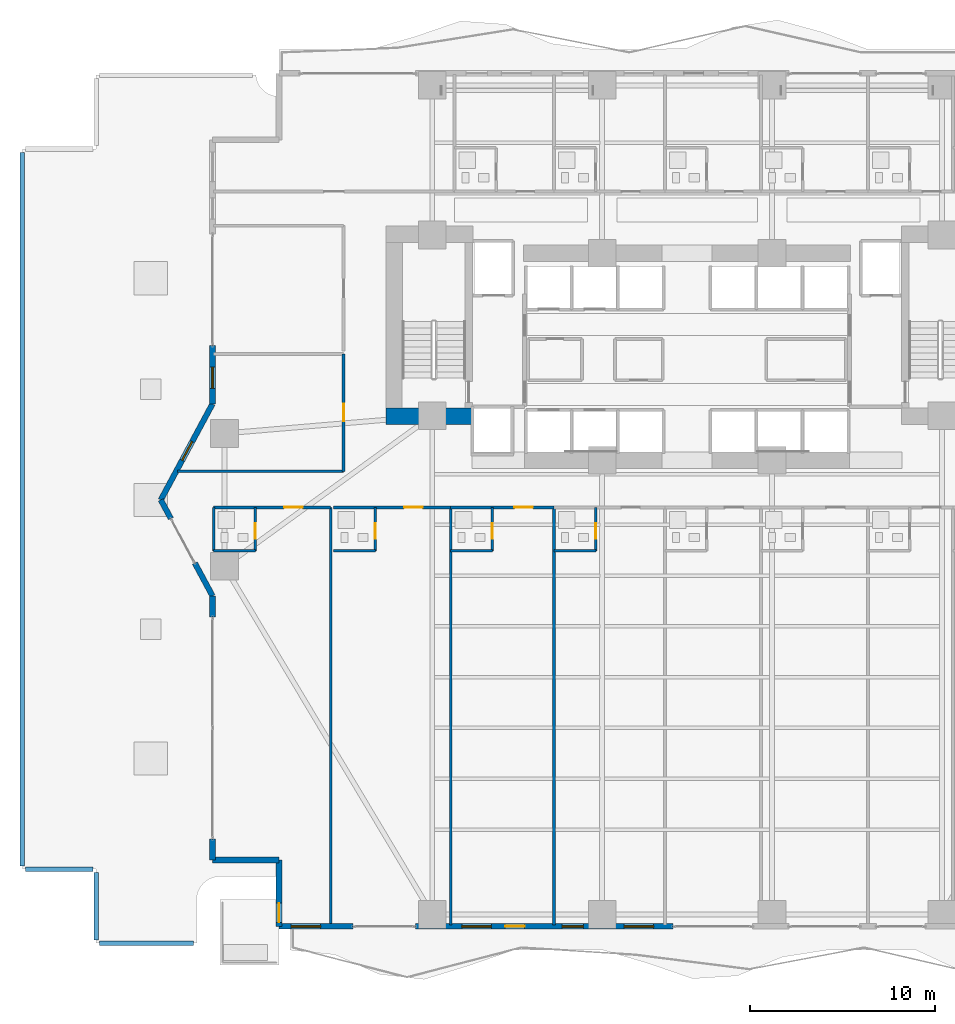
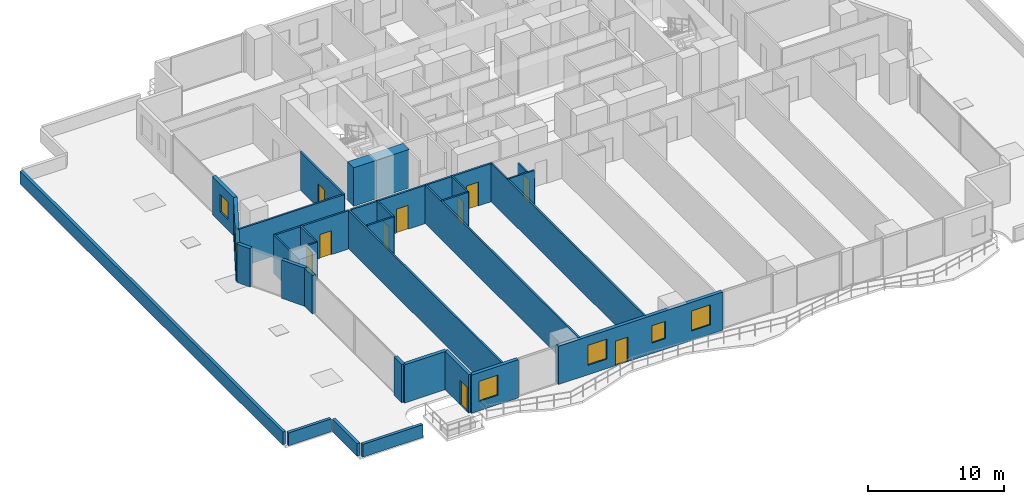
# One storey, part 20 of 30: 32 walls, 10 doors, 6 windows, 16 openings.
"""IFC4 building model written with IfcOpenShell, lengths in metres."""

from ifc_helpers import new_model, si_unit, direction, frame, frame_2d, origin, place, context, subcontext, project, spatial, rectangle, extrude, material, layer, layer_set, type_object, element, fill, save


model = new_model("IFC4")

# Units and contexts
model_context = context("Model", 3, precision=1e-05, world=origin(), true_north=direction((0.0, 1.0)))
body_context = subcontext(model_context, "Body", "Model", "MODEL_VIEW")
ifc_project = project(units=[si_unit("LENGTHUNIT", "METRE"), si_unit("AREAUNIT", "SQUARE_METRE"), si_unit("VOLUMEUNIT", "CUBIC_METRE"), si_unit("PLANEANGLEUNIT", "RADIAN"), si_unit("MASSUNIT", "GRAM", prefix="KILO")], contexts=[model_context])

# Site, building, storey
site_placement = place(None, origin())
site = spatial("IfcSite", under=ifc_project, at=site_placement, CompositionType="ELEMENT")
building_placement = place(site_placement, origin())
building = spatial("IfcBuilding", under=site, at=building_placement, Name="Zuhayl Quay Hotel", CompositionType="ELEMENT")
storey_placement = place(building_placement, frame((0.0, 0.0, 27.60009765625)))
storey = spatial("IfcBuildingStorey", under=building, at=storey_placement, Name="L05", CompositionType="ELEMENT", Elevation=27.60009765625)

# Walls
ifc_material_1 = material(Name="Concrete C70/85", Category="concrete")
ifc_layer_1 = layer(ifc_material_1, 0.89990234375, Name="Concrete C70/85", Category="concrete")
ifc_layer_set_1 = layer_set([ifc_layer_1], Name="Concrete C70/85")
wall_type_1 = type_object("IfcWallType", Name="WL_CORE_900", PredefinedType="SHEAR", material=ifc_layer_set_1)
wall_1_placement = place(storey_placement, frame((-16.31005859375, 4.52001953125, 0.0), z_axis=(0.0, 0.0, 1.0), x_axis=(1.0, 0.0, 0.0)))
element("IfcWall", 1, at=wall_1_placement, inside=storey, type_object=wall_type_1, Name="L05 Core Shear Wall CW_SW", PredefinedType="SHEAR", context=body_context, shape_type="SweptSolid", body=[
    extrude(rectangle(XDim=4.7099609375, YDim=0.89990234375, at=frame_2d((2.35498046875, 0.0))), origin(), (0.0, 0.0, 1.0), 3.4599609375),
])
ifc_material_2 = material(Name="Precast concrete C45/55", Category="concrete")
ifc_layer_2 = layer(ifc_material_2, 0.300048828125, Name="Precast concrete C45/55", Category="concrete")
ifc_layer_set_2 = layer_set([ifc_layer_2], Name="Precast concrete C45/55")
wall_type_2 = type_object("IfcWallType", Name="WL_EXT_300", PredefinedType="STANDARD", material=ifc_layer_set_2)
wall_2_placement = place(storey_placement, frame((-22.10009765625, -19.5, 0.0), z_axis=(0.0, 0.0, 1.0), x_axis=(-1.0, 0.0, 0.0)))
element("IfcWall", 2, at=wall_2_placement, inside=storey, type_object=wall_type_2, Name="L05 Exterior Precast Wall ENV_L05_EW01", PredefinedType="STANDARD", context=body_context, shape_type="SweptSolid", body=[
    extrude(rectangle(XDim=3.599853515625, YDim=0.300048828125, at=frame_2d((1.7998046875, 0.0))), origin(), (0.0, 0.0, 1.0), 3.429931640625),
])
wall_3_placement = place(storey_placement, frame((-25.699951171875, -19.5, 0.0), z_axis=(0.0, 0.0, 1.0), x_axis=(0.0, 1.0, 0.0)))
element("IfcWall", 3, at=wall_3_placement, inside=storey, type_object=wall_type_2, Name="L05 Exterior Precast Wall ENV_L05_E02_EW1", PredefinedType="STANDARD", context=body_context, shape_type="SweptSolid", body=[
    extrude(rectangle(XDim=1.14990234375, YDim=0.300048828125, at=frame_2d((0.574951171875, 0.0))), origin(), (0.0, 0.0, 1.0), 3.429931640625),
])
wall_4_placement = place(storey_placement, frame((-25.699951171875, -6.35009765625, 0.0), z_axis=(0.0, 0.0, 1.0), x_axis=(0.0, 1.0, 0.0)))
element("IfcWall", 4, at=wall_4_placement, inside=storey, type_object=wall_type_2, Name="L05 Exterior Precast Wall ENV_L05_E02_EW2", PredefinedType="STANDARD", context=body_context, shape_type="SweptSolid", body=[
    extrude(rectangle(XDim=1.150146484375, YDim=0.300048828125, at=frame_2d((0.5751953125, 0.0))), origin(), (0.0, 0.0, 1.0), 3.429931640625),
])
wall_5_placement = place(storey_placement, frame((-25.699951171875, -5.199951171875, 0.0), z_axis=(0.0, 0.0, 1.0), x_axis=(-0.474121438562, 0.88045946045, 0.0)))
element("IfcWall", 5, at=wall_5_placement, inside=storey, type_object=wall_type_2, Name="L05 Exterior Precast Wall ENV_L05_E03_EW1", PredefinedType="STANDARD", context=body_context, shape_type="SweptSolid", body=[
    extrude(rectangle(XDim=2.0205078125, YDim=0.300048828125, at=frame_2d((1.01025390625, 0.0))), origin(), (0.0, 0.0, 1.0), 3.429931640625),
])
wall_6_placement = place(storey_placement, frame((-27.954833984375, -1.012451171875, 0.0), z_axis=(0.0, 0.0, 1.0), x_axis=(-0.474099823035, 0.880471099922, 0.0)))
element("IfcWall", 6, at=wall_6_placement, inside=storey, type_object=wall_type_2, Name="L05 Exterior Precast Wall ENV_L05_E03_EW2", PredefinedType="STANDARD", context=body_context, shape_type="SweptSolid", body=[
    extrude(rectangle(XDim=1.14990234375, YDim=0.300048828125, at=frame_2d((0.574951171875, 0.0))), origin(), (0.0, 0.0, 1.0), 3.429931640625),
])

# Wall, opening, window
wall_7_placement = place(storey_placement, frame((-28.5, 0.0, 0.0), z_axis=(0.0, 0.0, 1.0), x_axis=(0.474109683532, 0.880465790352, 0.0)))
wall_7 = element("IfcWall", 7, at=wall_7_placement, inside=storey, type_object=wall_type_2, Name="L05 Exterior Precast Wall ENV_L05_E04_EW1", PredefinedType="STANDARD", context=body_context, shape_type="SweptSolid", body=[
    extrude(rectangle(XDim=5.906005859375, YDim=0.300048828125, at=frame_2d((2.953125, 0.0))), origin(), (0.0, 0.0, 1.0), 3.429931640625),
])
opening_1_placement = place(wall_7_placement, frame((2.43212890625, 0.0, 0.949951171875)))
opening_1 = element("IfcOpeningElement", 8, at=opening_1_placement, cuts=wall_7, Name="Opening W01N", PredefinedType="OPENING", context=body_context, shape_type="SweptSolid", body=[
    extrude(rectangle(XDim=1.14990234375, YDim=1.550048828125, at=frame_2d((0.574951171875, 0.77490234375))), frame((0.0, 0.159912109375, 0.0), z_axis=(0.0, -1.0, 0.0), x_axis=(1.0, 0.0, 0.0)), (0.0, 0.0, 1.0), 0.320068359375),
])
ifc_material_3 = material(Name="Dark Ceramic-Fritted Solar Glass", Category="glass")
window_type_1 = type_object("IfcWindowType", Name="WN_NOTCH_1350", PartitioningType="SINGLE_PANEL", PredefinedType="WINDOW", material=ifc_material_3)
window_1_placement = place(opening_1_placement, origin())
window_1 = element("IfcWindow", 9, at=window_1_placement, inside=storey, type_object=window_type_1, Name="L05 Operable Facade Window 1-1", OverallHeight=1.550048828125, OverallWidth=1.14990234375, PartitioningType="SINGLE_PANEL", PredefinedType="WINDOW", context=body_context, shape_type="SweptSolid", body=[
    extrude(rectangle(XDim=1.14990234375, YDim=1.550048828125, at=frame_2d((0.574951171875, 0.77490234375))), frame((0.0, 0.030029296875, 0.0), z_axis=(0.0, -1.0, 0.0), x_axis=(1.0, 0.0, 0.0)), (0.0, 0.0, 1.0), 0.06005859375),
])
fill(opening_1, window_1)

wall_8_placement = place(storey_placement, frame((-25.699951171875, 5.199951171875, 0.0), z_axis=(0.0, 0.0, 1.0), x_axis=(0.0, 1.0, 0.0)))
wall_8 = element("IfcWall", 10, at=wall_8_placement, inside=storey, type_object=wall_type_2, Name="L05 Exterior Precast Wall ENV_L05_E05_EW1", PredefinedType="STANDARD", context=body_context, shape_type="SweptSolid", body=[
    extrude(rectangle(XDim=3.150146484375, YDim=0.300048828125, at=frame_2d((1.5751953125, 0.0))), origin(), (0.0, 0.0, 1.0), 3.429931640625),
])
opening_2_placement = place(wall_8_placement, frame((0.8349609375, 0.0, 0.949951171875)))
opening_2 = element("IfcOpeningElement", 11, at=opening_2_placement, cuts=wall_8, Name="Opening W01N", PredefinedType="OPENING", context=body_context, shape_type="SweptSolid", body=[
    extrude(rectangle(XDim=1.14990234375, YDim=1.550048828125, at=frame_2d((0.574951171875, 0.77490234375))), frame((0.0, 0.159912109375, 0.0), z_axis=(0.0, -1.0, 0.0), x_axis=(1.0, 0.0, 0.0)), (0.0, 0.0, 1.0), 0.320068359375),
])
window_2_placement = place(opening_2_placement, origin())
window_2 = element("IfcWindow", 12, at=window_2_placement, inside=storey, type_object=window_type_1, Name="L05 Operable Facade Window 1-1", OverallHeight=1.550048828125, OverallWidth=1.14990234375, PartitioningType="SINGLE_PANEL", PredefinedType="WINDOW", context=body_context, shape_type="SweptSolid", body=[
    extrude(rectangle(XDim=1.14990234375, YDim=1.550048828125, at=frame_2d((0.574951171875, 0.77490234375))), frame((0.0, 0.030029296875, 0.0), z_axis=(0.0, -1.0, 0.0), x_axis=(1.0, 0.0, 0.0)), (0.0, 0.0, 1.0), 0.06005859375),
])
fill(opening_2, window_2)

# Wall, openings, door, windows
wall_9_placement = place(storey_placement, frame((-0.75, -23.10009765625, 0.0), z_axis=(0.0, 0.0, 1.0), x_axis=(-1.0, 0.0, 0.0)))
wall_9 = element("IfcWall", 13, at=wall_9_placement, inside=storey, type_object=wall_type_2, Name="L05 Exterior Precast Wall ENV_L05_S_EW5", PredefinedType="STANDARD", context=body_context, shape_type="SweptSolid", body=[
    extrude(rectangle(XDim=13.969970703125, YDim=0.300048828125, at=frame_2d((6.98486328125, 0.0))), origin(), (0.0, 0.0, 1.0), 3.429931640625),
])
opening_3_placement = place(wall_9_placement, frame((8.052978515625, 0.0, 0.0)))
opening_3 = element("IfcOpeningElement", 14, at=opening_3_placement, cuts=wall_9, Name="Opening DG1", PredefinedType="OPENING", context=body_context, shape_type="SweptSolid", body=[
    extrude(rectangle(XDim=1.050048828125, YDim=2.199951171875, at=frame_2d((0.52490234375, 1.10009765625))), frame((0.0, 0.159912109375, 0.0), z_axis=(0.0, -1.0, 0.0), x_axis=(1.0, 0.0, 0.0)), (0.0, 0.0, 1.0), 0.320068359375),
])
opening_4_placement = place(wall_9_placement, frame((1.06005859375, 0.0, 0.85009765625)))
opening_4 = element("IfcOpeningElement", 15, at=opening_4_placement, cuts=wall_9, Name="Opening W01", PredefinedType="OPENING", context=body_context, shape_type="SweptSolid", body=[
    extrude(rectangle(XDim=1.60009765625, YDim=1.800048828125, at=frame_2d((0.800048828125, 0.89990234375))), frame((0.0, 0.159912109375, 0.0), z_axis=(0.0, -1.0, 0.0), x_axis=(1.0, 0.0, 0.0)), (0.0, 0.0, 1.0), 0.320068359375),
])
opening_5_placement = place(wall_9_placement, frame((4.864990234375, 0.0, 0.949951171875)))
opening_5 = element("IfcOpeningElement", 16, at=opening_5_placement, cuts=wall_9, Name="Opening W01N", PredefinedType="OPENING", context=body_context, shape_type="SweptSolid", body=[
    extrude(rectangle(XDim=1.14990234375, YDim=1.550048828125, at=frame_2d((0.574951171875, 0.77490234375))), frame((0.0, 0.159912109375, 0.0), z_axis=(0.0, -1.0, 0.0), x_axis=(1.0, 0.0, 0.0)), (0.0, 0.0, 1.0), 0.320068359375),
])
opening_6_placement = place(wall_9_placement, frame((9.841552734375, 0.0, 0.85009765625)))
opening_6 = element("IfcOpeningElement", 17, at=opening_6_placement, cuts=wall_9, Name="Opening W01", PredefinedType="OPENING", context=body_context, shape_type="SweptSolid", body=[
    extrude(rectangle(XDim=1.60009765625, YDim=1.800048828125, at=frame_2d((0.800048828125, 0.89990234375))), frame((0.0, 0.159912109375, 0.0), z_axis=(0.0, -1.0, 0.0), x_axis=(1.0, 0.0, 0.0)), (0.0, 0.0, 1.0), 0.320068359375),
])
ifc_material_4 = material(Name="Anodised Aluminium and Dark Solar Glass", Category="aluminium")
door_type_1 = type_object("IfcDoorType", Name="DR_EXT_TERR_1050", OperationType="NOTDEFINED", PredefinedType="DOOR", material=ifc_material_4)
door_1_placement = place(opening_3_placement, origin())
door_1 = element("IfcDoor", 18, at=door_1_placement, inside=storey, type_object=door_type_1, Name="L05 South Rippling Balcony Door", OperationType="SINGLE_SWING_RIGHT", OverallHeight=2.199951171875, OverallWidth=1.050048828125, PredefinedType="DOOR", context=body_context, shape_type="SweptSolid", body=[
    extrude(rectangle(XDim=1.050048828125, YDim=2.199951171875, at=frame_2d((0.52490234375, 1.10009765625))), frame((0.0, 0.02490234375, 0.0), z_axis=(0.0, -1.0, 0.0), x_axis=(1.0, 0.0, 0.0)), (0.0, 0.0, 1.0), 0.050048828125),
])
fill(opening_3, door_1)
window_3_placement = place(opening_5_placement, origin())
window_3 = element("IfcWindow", 19, at=window_3_placement, inside=storey, type_object=window_type_1, Name="L05 Operable Facade Window 5-2", OverallHeight=1.550048828125, OverallWidth=1.14990234375, PartitioningType="SINGLE_PANEL", PredefinedType="WINDOW", context=body_context, shape_type="SweptSolid", body=[
    extrude(rectangle(XDim=1.14990234375, YDim=1.550048828125, at=frame_2d((0.574951171875, 0.77490234375))), frame((0.0, 0.030029296875, 0.0), z_axis=(0.0, -1.0, 0.0), x_axis=(1.0, 0.0, 0.0)), (0.0, 0.0, 1.0), 0.06005859375),
])
fill(opening_5, window_3)
window_type_2 = type_object("IfcWindowType", Name="WN_OPERABLE_1600", PartitioningType="DOUBLE_PANEL_VERTICAL", PredefinedType="WINDOW", material=ifc_material_3)
window_4_placement = place(opening_4_placement, origin())
window_4 = element("IfcWindow", 20, at=window_4_placement, inside=storey, type_object=window_type_2, Name="L05 Operable Facade Window 5-1", OverallHeight=1.800048828125, OverallWidth=1.60009765625, PartitioningType="SINGLE_PANEL", PredefinedType="WINDOW", context=body_context, shape_type="SweptSolid", body=[
    extrude(rectangle(XDim=1.60009765625, YDim=1.800048828125, at=frame_2d((0.800048828125, 0.89990234375))), frame((0.0, 0.030029296875, 0.0), z_axis=(0.0, -1.0, 0.0), x_axis=(1.0, 0.0, 0.0)), (0.0, 0.0, 1.0), 0.06005859375),
])
fill(opening_4, window_4)
window_5_placement = place(opening_6_placement, origin())
window_5 = element("IfcWindow", 21, at=window_5_placement, inside=storey, type_object=window_type_2, Name="L05 Operable Facade Window 5-3", OverallHeight=1.800048828125, OverallWidth=1.60009765625, PartitioningType="SINGLE_PANEL", PredefinedType="WINDOW", context=body_context, shape_type="SweptSolid", body=[
    extrude(rectangle(XDim=1.60009765625, YDim=1.800048828125, at=frame_2d((0.800048828125, 0.89990234375))), frame((0.0, 0.030029296875, 0.0), z_axis=(0.0, -1.0, 0.0), x_axis=(1.0, 0.0, 0.0)), (0.0, 0.0, 1.0), 0.06005859375),
])
fill(opening_6, window_5)

# Wall, opening, window
wall_10_placement = place(storey_placement, frame((-18.10009765625, -23.10009765625, 0.0), z_axis=(0.0, 0.0, 1.0), x_axis=(-1.0, 0.0, 0.0)))
wall_10 = element("IfcWall", 22, at=wall_10_placement, inside=storey, type_object=wall_type_2, Name="L05 Exterior Precast Wall ENV_L05_S_EW6", PredefinedType="STANDARD", context=body_context, shape_type="SweptSolid", body=[
    extrude(rectangle(XDim=4.0, YDim=0.300048828125, at=frame_2d((2.0, 0.0))), origin(), (0.0, 0.0, 1.0), 3.429931640625),
])
opening_7_placement = place(wall_10_placement, frame((1.739990234375, 0.0, 0.85009765625)))
opening_7 = element("IfcOpeningElement", 23, at=opening_7_placement, cuts=wall_10, Name="Opening W01", PredefinedType="OPENING", context=body_context, shape_type="SweptSolid", body=[
    extrude(rectangle(XDim=1.60009765625, YDim=1.800048828125, at=frame_2d((0.800048828125, 0.89990234375))), frame((0.0, 0.159912109375, 0.0), z_axis=(0.0, -1.0, 0.0), x_axis=(1.0, 0.0, 0.0)), (0.0, 0.0, 1.0), 0.320068359375),
])
window_6_placement = place(opening_7_placement, origin())
window_6 = element("IfcWindow", 24, at=window_6_placement, inside=storey, type_object=window_type_2, Name="L05 Operable Facade Window 6-1", OverallHeight=1.800048828125, OverallWidth=1.60009765625, PartitioningType="SINGLE_PANEL", PredefinedType="WINDOW", context=body_context, shape_type="SweptSolid", body=[
    extrude(rectangle(XDim=1.60009765625, YDim=1.800048828125, at=frame_2d((0.800048828125, 0.89990234375))), frame((0.0, 0.030029296875, 0.0), z_axis=(0.0, -1.0, 0.0), x_axis=(1.0, 0.0, 0.0)), (0.0, 0.0, 1.0), 0.06005859375),
])
fill(opening_7, window_6)

# Wall, opening, door
wall_11_placement = place(storey_placement, frame((-22.10009765625, -23.10009765625, 0.0), z_axis=(0.0, 0.0, 1.0), x_axis=(0.0, 1.0, 0.0)))
wall_11 = element("IfcWall", 25, at=wall_11_placement, inside=storey, type_object=wall_type_2, Name="L05 Exterior Precast Wall ENV_L05_SP_SW", PredefinedType="STANDARD", context=body_context, shape_type="SweptSolid", body=[
    extrude(rectangle(XDim=3.60009765625, YDim=0.300048828125, at=frame_2d((1.800048828125, 0.0))), origin(), (0.0, 0.0, 1.0), 3.429931640625),
])
opening_8_placement = place(wall_11_placement, frame((0.219970703125, 0.0, 0.0)))
opening_8 = element("IfcOpeningElement", 26, at=opening_8_placement, cuts=wall_11, Name="Opening DG1", PredefinedType="OPENING", context=body_context, shape_type="SweptSolid", body=[
    extrude(rectangle(XDim=1.050048828125, YDim=2.199951171875, at=frame_2d((0.52490234375, 1.10009765625))), frame((0.0, 0.159912109375, 0.0), z_axis=(0.0, -1.0, 0.0), x_axis=(1.0, 0.0, 0.0)), (0.0, 0.0, 1.0), 0.320068359375),
])
door_2_placement = place(opening_8_placement, origin())
door_2 = element("IfcDoor", 27, at=door_2_placement, inside=storey, type_object=door_type_1, Name="L05 Spiral Sky-Terrace SW Access Door", OperationType="SINGLE_SWING_LEFT", OverallHeight=2.199951171875, OverallWidth=1.050048828125, PredefinedType="DOOR", context=body_context, shape_type="SweptSolid", body=[
    extrude(rectangle(XDim=1.050048828125, YDim=2.199951171875, at=frame_2d((0.52490234375, 1.10009765625))), frame((0.0, 0.02490234375, 0.0), z_axis=(0.0, -1.0, 0.0), x_axis=(1.0, 0.0, 0.0)), (0.0, 0.0, 1.0), 0.050048828125),
])
fill(opening_8, door_2)

# Walls
ifc_layer_3 = layer(ifc_material_2, 0.25, Name="Precast concrete C45/55", Category="concrete")
ifc_layer_set_3 = layer_set([ifc_layer_3], Name="Precast concrete C45/55")
wall_type_3 = type_object("IfcWallType", Name="WL_PARAPET_250", PredefinedType="PARAPET", material=ifc_layer_set_3)
wall_12_placement = place(storey_placement, frame((-36.0, -19.820068359375, 0.0), z_axis=(0.0, 0.0, 1.0), x_axis=(0.0, 1.0, 0.0)))
element("IfcWall", 28, at=wall_12_placement, inside=storey, type_object=wall_type_3, Name="L05 Setback Roof Parapet 1-1", PredefinedType="PARAPET", context=body_context, shape_type="SweptSolid", body=[
    extrude(rectangle(XDim=38.64013671875, YDim=0.25, at=frame_2d((19.320068359375, 0.0))), origin(), (0.0, 0.0, 1.0), 1.14990234375),
])
wall_13_placement = place(storey_placement, frame((-26.72998046875, -24.0, 0.0), z_axis=(0.0, 0.0, 1.0), x_axis=(-1.0, 0.0, 0.0)))
element("IfcWall", 29, at=wall_13_placement, inside=storey, type_object=wall_type_3, Name="L05 Setback Roof Parapet 1-47", PredefinedType="PARAPET", context=body_context, shape_type="SweptSolid", body=[
    extrude(rectangle(XDim=5.090087890625, YDim=0.25, at=frame_2d((2.544921875, 0.0))), origin(), (0.0, 0.0, 1.0), 1.14990234375),
])
for number, where, z_axis, x_axis, name in (
    (30, (-32.0, -23.820068359375, 0.0), (0.0, 0.0, 1.0), (0.0, 1.0, 0.0), "L05 Setback Roof Parapet 1-48"),
    (31, (-32.179931640625, -20.0, 0.0), (0.0, 0.0, 1.0), (-1.0, 0.0, 0.0), "L05 Setback Roof Parapet 1-49"),
):
    element("IfcWall", number, at=place(storey_placement, frame(where, z_axis=z_axis, x_axis=x_axis)), inside=storey, type_object=wall_type_3, Name=name, PredefinedType="PARAPET", context=body_context, shape_type="SweptSolid", body=[
        extrude(rectangle(XDim=3.64013671875, YDim=0.25, at=frame_2d((1.820068359375, 0.0))), origin(), (0.0, 0.0, 1.0), 1.14990234375),
    ])
ifc_material_5 = material(Name="Acoustic Gypsum Partition STC-58")
ifc_layer_4 = layer(ifc_material_5, 0.14990234375, Name="Acoustic Gypsum Partition STC-58")
ifc_layer_set_4 = layer_set([ifc_layer_4], Name="Acoustic Gypsum Partition STC-58")
wall_type_4 = type_object("IfcWallType", Name="WL_PART_150", PredefinedType="PARTITIONING", material=ifc_layer_set_4)
for number, where, z_axis, x_axis, name in (
    (32, (-19.300048828125, -23.02001953125, 0.0), (0.0, 0.0, 1.0), (0.0, 1.0, 0.0), "L05 Partition IW_L05_SU01A_E"),
    (33, (-12.800048828125, -23.02001953125, 0.0), (0.0, 0.0, 1.0), (0.0, 1.0, 0.0), "L05 Partition IW_L05_SU01B_E"),
    (34, (-7.199951171875, -23.02001953125, 0.0), (0.0, 0.0, 1.0), (0.0, 1.0, 0.0), "L05 Partition IW_L05_SU02_E"),
):
    element("IfcWall", number, at=place(storey_placement, frame(where, z_axis=z_axis, x_axis=x_axis)), inside=storey, type_object=wall_type_4, Name=name, PredefinedType="PARTITIONING", context=body_context, shape_type="SweptSolid", body=[
        extrude(rectangle(XDim=22.6201171875, YDim=0.14990234375, at=frame_2d((11.31005859375, 0.0))), origin(), (0.0, 0.0, 1.0), 3.429931640625),
    ])
wall_14_placement = place(storey_placement, frame((-27.60546875, 1.550048828125, 0.0), z_axis=(0.0, 0.0, 1.0), x_axis=(1.0, 0.0, 0.0)))
element("IfcWall", 35, at=wall_14_placement, inside=storey, type_object=wall_type_4, Name="L05 Partition IW_L05_WPROW_1_S", PredefinedType="PARTITIONING", context=body_context, shape_type="SweptSolid", body=[
    extrude(rectangle(XDim=9.00537109375, YDim=0.14990234375, at=frame_2d((4.502685546875, 0.0))), origin(), (0.0, 0.0, 1.0), 3.429931640625),
])

# Wall, opening, door
ifc_layer_5 = layer(ifc_material_5, 0.159912109375, Name="Acoustic Gypsum Partition STC-58")
ifc_layer_set_5 = layer_set([ifc_layer_5], Name="Acoustic Gypsum Partition STC-58")
wall_type_5 = type_object("IfcWallType", Name="WL_PART_CORR_160", PredefinedType="PARTITIONING", material=ifc_layer_set_5)
wall_15_placement = place(storey_placement, frame((-25.639892578125, -0.39990234375, 0.0), z_axis=(0.0, 0.0, 1.0), x_axis=(1.0, 0.0, 0.0)))
wall_15 = element("IfcWall", 36, at=wall_15_placement, inside=storey, type_object=wall_type_5, Name="L05 Partition IW_L05_SU01A_COR", PredefinedType="PARTITIONING", context=body_context, shape_type="SweptSolid", body=[
    extrude(rectangle(XDim=6.33984375, YDim=0.159912109375, at=frame_2d((3.169921875, 0.0))), origin(), (0.0, 0.0, 1.0), 3.429931640625),
])
opening_9_placement = place(wall_15_placement, frame((3.820068359375, 0.0, 0.0)))
opening_9 = element("IfcOpeningElement", 37, at=opening_9_placement, cuts=wall_15, Name="Opening D03L", PredefinedType="OPENING", context=body_context, shape_type="SweptSolid", body=[
    extrude(rectangle(XDim=1.0, YDim=2.14990234375, at=frame_2d((0.5, 1.074951171875))), frame((0.0, 0.08984375, 0.0), z_axis=(0.0, -1.0, 0.0), x_axis=(1.0, 0.0, 0.0)), (0.0, 0.0, 1.0), 0.179931640625),
])
ifc_material_6 = material(Name="Solid Walnut Acoustic Fire Door")
door_type_2 = type_object("IfcDoorType", Name="DR_SUITE_1000", OperationType="NOTDEFINED", PredefinedType="DOOR", material=ifc_material_6)
door_3_placement = place(opening_9_placement, origin())
door_3 = element("IfcDoor", 38, at=door_3_placement, inside=storey, type_object=door_type_2, Name="L05 Premier Twin Junior Suite L05-01A Entrance Door", OperationType="SINGLE_SWING_RIGHT", OverallHeight=2.14990234375, OverallWidth=1.0, PredefinedType="DOOR", context=body_context, shape_type="SweptSolid", body=[
    extrude(rectangle(XDim=1.0, YDim=2.14990234375, at=frame_2d((0.5, 1.074951171875))), frame((0.0, 0.02490234375, 0.0), z_axis=(0.0, -1.0, 0.0), x_axis=(1.0, 0.0, 0.0)), (0.0, 0.0, 1.0), 0.050048828125),
])
fill(opening_9, door_3)

wall_16_placement = place(storey_placement, frame((-19.139892578125, -0.39990234375, 0.0), z_axis=(0.0, 0.0, 1.0), x_axis=(1.0, 0.0, 0.0)))
wall_16 = element("IfcWall", 39, at=wall_16_placement, inside=storey, type_object=wall_type_5, Name="L05 Partition IW_L05_SU01B_COR", PredefinedType="PARTITIONING", context=body_context, shape_type="SweptSolid", body=[
    extrude(rectangle(XDim=6.33984375, YDim=0.159912109375, at=frame_2d((3.169921875, 0.0))), origin(), (0.0, 0.0, 1.0), 3.429931640625),
])
opening_10_placement = place(wall_16_placement, frame((3.820068359375, 0.0, 0.0)))
opening_10 = element("IfcOpeningElement", 40, at=opening_10_placement, cuts=wall_16, Name="Opening D03L", PredefinedType="OPENING", context=body_context, shape_type="SweptSolid", body=[
    extrude(rectangle(XDim=1.0, YDim=2.14990234375, at=frame_2d((0.5, 1.074951171875))), frame((0.0, 0.08984375, 0.0), z_axis=(0.0, -1.0, 0.0), x_axis=(1.0, 0.0, 0.0)), (0.0, 0.0, 1.0), 0.179931640625),
])
door_4_placement = place(opening_10_placement, origin())
door_4 = element("IfcDoor", 41, at=door_4_placement, inside=storey, type_object=door_type_2, Name="L05 Premier Twin Junior Suite L05-01B Entrance Door", OperationType="SINGLE_SWING_RIGHT", OverallHeight=2.14990234375, OverallWidth=1.0, PredefinedType="DOOR", context=body_context, shape_type="SweptSolid", body=[
    extrude(rectangle(XDim=1.0, YDim=2.14990234375, at=frame_2d((0.5, 1.074951171875))), frame((0.0, 0.02490234375, 0.0), z_axis=(0.0, -1.0, 0.0), x_axis=(1.0, 0.0, 0.0)), (0.0, 0.0, 1.0), 0.050048828125),
])
fill(opening_10, door_4)

wall_17_placement = place(storey_placement, frame((-12.800048828125, -0.39990234375, 0.0), z_axis=(0.0, 0.0, 1.0), x_axis=(1.0, 0.0, 0.0)))
wall_17 = element("IfcWall", 42, at=wall_17_placement, inside=storey, type_object=wall_type_5, Name="L05 Partition IW_L05_SU02_COR", PredefinedType="PARTITIONING", context=body_context, shape_type="SweptSolid", body=[
    extrude(rectangle(XDim=5.60009765625, YDim=0.159912109375, at=frame_2d((2.800048828125, 0.0))), origin(), (0.0, 0.0, 1.0), 3.429931640625),
])
opening_11_placement = place(wall_17_placement, frame((3.449951171875, 0.0, 0.0)))
opening_11 = element("IfcOpeningElement", 43, at=opening_11_placement, cuts=wall_17, Name="Opening D03L", PredefinedType="OPENING", context=body_context, shape_type="SweptSolid", body=[
    extrude(rectangle(XDim=1.0, YDim=2.14990234375, at=frame_2d((0.5, 1.074951171875))), frame((0.0, 0.08984375, 0.0), z_axis=(0.0, -1.0, 0.0), x_axis=(1.0, 0.0, 0.0)), (0.0, 0.0, 1.0), 0.179931640625),
])
door_5_placement = place(opening_11_placement, origin())
door_5 = element("IfcDoor", 44, at=door_5_placement, inside=storey, type_object=door_type_2, Name="L05 Premier Twin Junior Suite L05-02 Entrance Door", OperationType="SINGLE_SWING_RIGHT", OverallHeight=2.14990234375, OverallWidth=1.0, PredefinedType="DOOR", context=body_context, shape_type="SweptSolid", body=[
    extrude(rectangle(XDim=1.0, YDim=2.14990234375, at=frame_2d((0.5, 1.074951171875))), frame((0.0, 0.02490234375, 0.0), z_axis=(0.0, -1.0, 0.0), x_axis=(1.0, 0.0, 0.0)), (0.0, 0.0, 1.0), 0.050048828125),
])
fill(opening_11, door_5)

wall_18_placement = place(storey_placement, frame((-18.60009765625, 1.550048828125, 0.0), z_axis=(0.0, 0.0, 1.0), x_axis=(0.0, 1.0, 0.0)))
wall_18 = element("IfcWall", 45, at=wall_18_placement, inside=storey, type_object=wall_type_5, Name="L05 Partition IW_L05_WPROW_1_E", PredefinedType="PARTITIONING", context=body_context, shape_type="SweptSolid", body=[
    extrude(rectangle(XDim=6.349853515625, YDim=0.159912109375, at=frame_2d((3.1748046875, 0.0))), origin(), (0.0, 0.0, 1.0), 3.429931640625),
])
opening_12_placement = place(wall_18_placement, frame((2.699951171875, 0.0, 0.0)))
opening_12 = element("IfcOpeningElement", 46, at=opening_12_placement, cuts=wall_18, Name="Opening D03", PredefinedType="OPENING", context=body_context, shape_type="SweptSolid", body=[
    extrude(rectangle(XDim=0.949951171875, YDim=2.14990234375, at=frame_2d((0.47509765625, 1.074951171875))), frame((0.0, 0.08984375, 0.0), z_axis=(0.0, -1.0, 0.0), x_axis=(1.0, 0.0, 0.0)), (0.0, 0.0, 1.0), 0.179931640625),
])
door_type_3 = type_object("IfcDoorType", Name="DR_SUITE_950", OperationType="NOTDEFINED", PredefinedType="DOOR", material=ifc_material_6)
door_6_placement = place(opening_12_placement, origin())
door_6 = element("IfcDoor", 47, at=door_6_placement, inside=storey, type_object=door_type_3, Name="L05 West Prow Office L05 Door", OperationType="SINGLE_SWING_RIGHT", OverallHeight=2.14990234375, OverallWidth=0.949951171875, PredefinedType="DOOR", context=body_context, shape_type="SweptSolid", body=[
    extrude(rectangle(XDim=0.949951171875, YDim=2.14990234375, at=frame_2d((0.47509765625, 1.074951171875))), frame((0.0, 0.02490234375, 0.0), z_axis=(0.0, -1.0, 0.0), x_axis=(1.0, 0.0, 0.0)), (0.0, 0.0, 1.0), 0.050048828125),
])
fill(opening_12, door_6)

ifc_material_7 = material(Name="Moisture-Resistant Sanitarychase Gypsum")
ifc_layer_6 = layer(ifc_material_7, 0.135009765625, Name="Moisture-Resistant Sanitarychase Gypsum")
ifc_layer_set_6 = layer_set([ifc_layer_6], Name="Moisture-Resistant Sanitarychase Gypsum")
wall_type_6 = type_object("IfcWallType", Name="WL_PART_PLUMB_150", PredefinedType="PLUMBINGWALL", material=ifc_layer_set_6)
wall_19_placement = place(storey_placement, frame((-23.3798828125, -2.760009765625, 0.0), z_axis=(0.0, 0.0, 1.0), x_axis=(0.0, 1.0, 0.0)))
wall_19 = element("IfcWall", 48, at=wall_19_placement, inside=storey, type_object=wall_type_6, Name="L05 Partition IW_L05_SU01A_BE", PredefinedType="PLUMBINGWALL", context=body_context, shape_type="SweptSolid", body=[
    extrude(rectangle(XDim=2.360107421875, YDim=0.135009765625, at=frame_2d((1.18017578125, 0.0))), origin(), (0.0, 0.0, 1.0), 3.429931640625),
])
opening_13_placement = place(wall_19_placement, frame((0.64990234375, 0.0, 0.0)))
opening_13 = element("IfcOpeningElement", 49, at=opening_13_placement, cuts=wall_19, Name="Opening D04", PredefinedType="OPENING", context=body_context, shape_type="SweptSolid", body=[
    extrude(rectangle(XDim=0.85009765625, YDim=2.10009765625, at=frame_2d((0.425048828125, 1.050048828125))), frame((0.0, 0.077392578125, 0.0), z_axis=(0.0, -1.0, 0.0), x_axis=(1.0, 0.0, 0.0)), (0.0, 0.0, 1.0), 0.155029296875),
])
ifc_material_8 = material(Name="Moisture-Resistant Walnut Veneer")
door_type_4 = type_object("IfcDoorType", Name="DR_BATH_850", OperationType="NOTDEFINED", PredefinedType="DOOR", material=ifc_material_8)
door_7_placement = place(opening_13_placement, origin())
door_7 = element("IfcDoor", 50, at=door_7_placement, inside=storey, type_object=door_type_4, Name="L05 Premier Twin Junior Suite L05-01A En-Suite Door", OperationType="SINGLE_SWING_LEFT", OverallHeight=2.10009765625, OverallWidth=0.85009765625, PredefinedType="DOOR", context=body_context, shape_type="SweptSolid", body=[
    extrude(rectangle(XDim=0.85009765625, YDim=2.10009765625, at=frame_2d((0.425048828125, 1.050048828125))), frame((0.0, 0.02490234375, 0.0), z_axis=(0.0, -1.0, 0.0), x_axis=(1.0, 0.0, 0.0)), (0.0, 0.0, 1.0), 0.050048828125),
])
fill(opening_13, door_7)

wall_20_placement = place(storey_placement, frame((-16.8798828125, -2.760009765625, 0.0), z_axis=(0.0, 0.0, 1.0), x_axis=(0.0, 1.0, 0.0)))
wall_20 = element("IfcWall", 51, at=wall_20_placement, inside=storey, type_object=wall_type_6, Name="L05 Partition IW_L05_SU01B_BE", PredefinedType="PLUMBINGWALL", context=body_context, shape_type="SweptSolid", body=[
    extrude(rectangle(XDim=2.360107421875, YDim=0.135009765625, at=frame_2d((1.18017578125, 0.0))), origin(), (0.0, 0.0, 1.0), 3.429931640625),
])
opening_14_placement = place(wall_20_placement, frame((0.64990234375, 0.0, 0.0)))
opening_14 = element("IfcOpeningElement", 52, at=opening_14_placement, cuts=wall_20, Name="Opening D04", PredefinedType="OPENING", context=body_context, shape_type="SweptSolid", body=[
    extrude(rectangle(XDim=0.85009765625, YDim=2.10009765625, at=frame_2d((0.425048828125, 1.050048828125))), frame((0.0, 0.077392578125, 0.0), z_axis=(0.0, -1.0, 0.0), x_axis=(1.0, 0.0, 0.0)), (0.0, 0.0, 1.0), 0.155029296875),
])
door_8_placement = place(opening_14_placement, origin())
door_8 = element("IfcDoor", 53, at=door_8_placement, inside=storey, type_object=door_type_4, Name="L05 Premier Twin Junior Suite L05-01B En-Suite Door", OperationType="SINGLE_SWING_LEFT", OverallHeight=2.10009765625, OverallWidth=0.85009765625, PredefinedType="DOOR", context=body_context, shape_type="SweptSolid", body=[
    extrude(rectangle(XDim=0.85009765625, YDim=2.10009765625, at=frame_2d((0.425048828125, 1.050048828125))), frame((0.0, 0.02490234375, 0.0), z_axis=(0.0, -1.0, 0.0), x_axis=(1.0, 0.0, 0.0)), (0.0, 0.0, 1.0), 0.050048828125),
])
fill(opening_14, door_8)

wall_21_placement = place(storey_placement, frame((-10.5400390625, -2.760009765625, 0.0), z_axis=(0.0, 0.0, 1.0), x_axis=(0.0, 1.0, 0.0)))
wall_21 = element("IfcWall", 54, at=wall_21_placement, inside=storey, type_object=wall_type_6, Name="L05 Partition IW_L05_SU02_BE", PredefinedType="PLUMBINGWALL", context=body_context, shape_type="SweptSolid", body=[
    extrude(rectangle(XDim=2.360107421875, YDim=0.135009765625, at=frame_2d((1.18017578125, 0.0))), origin(), (0.0, 0.0, 1.0), 3.429931640625),
])
opening_15_placement = place(wall_21_placement, frame((0.64990234375, 0.0, 0.0)))
opening_15 = element("IfcOpeningElement", 55, at=opening_15_placement, cuts=wall_21, Name="Opening D04", PredefinedType="OPENING", context=body_context, shape_type="SweptSolid", body=[
    extrude(rectangle(XDim=0.85009765625, YDim=2.10009765625, at=frame_2d((0.425048828125, 1.050048828125))), frame((0.0, 0.077392578125, 0.0), z_axis=(0.0, -1.0, 0.0), x_axis=(1.0, 0.0, 0.0)), (0.0, 0.0, 1.0), 0.155029296875),
])
door_9_placement = place(opening_15_placement, origin())
door_9 = element("IfcDoor", 56, at=door_9_placement, inside=storey, type_object=door_type_4, Name="L05 Premier Twin Junior Suite L05-02 En-Suite Door", OperationType="SINGLE_SWING_LEFT", OverallHeight=2.10009765625, OverallWidth=0.85009765625, PredefinedType="DOOR", context=body_context, shape_type="SweptSolid", body=[
    extrude(rectangle(XDim=0.85009765625, YDim=2.10009765625, at=frame_2d((0.425048828125, 1.050048828125))), frame((0.0, 0.02490234375, 0.0), z_axis=(0.0, -1.0, 0.0), x_axis=(1.0, 0.0, 0.0)), (0.0, 0.0, 1.0), 0.050048828125),
])
fill(opening_15, door_9)

wall_22_placement = place(storey_placement, frame((-4.93994140625, -2.760009765625, 0.0), z_axis=(0.0, 0.0, 1.0), x_axis=(0.0, 1.0, 0.0)))
wall_22 = element("IfcWall", 57, at=wall_22_placement, inside=storey, type_object=wall_type_6, Name="L05 Partition IW_L05_SU03_BE", PredefinedType="PLUMBINGWALL", context=body_context, shape_type="SweptSolid", body=[
    extrude(rectangle(XDim=2.360107421875, YDim=0.135009765625, at=frame_2d((1.18017578125, 0.0))), origin(), (0.0, 0.0, 1.0), 2.66796875),
])
opening_16_placement = place(wall_22_placement, frame((0.64990234375, 0.0, 0.0)))
opening_16 = element("IfcOpeningElement", 58, at=opening_16_placement, cuts=wall_22, Name="Opening D04", PredefinedType="OPENING", context=body_context, shape_type="SweptSolid", body=[
    extrude(rectangle(XDim=0.85009765625, YDim=2.10009765625, at=frame_2d((0.425048828125, 1.050048828125))), frame((0.0, 0.077392578125, 0.0), z_axis=(0.0, -1.0, 0.0), x_axis=(1.0, 0.0, 0.0)), (0.0, 0.0, 1.0), 0.155029296875),
])
door_10_placement = place(opening_16_placement, origin())
door_10 = element("IfcDoor", 59, at=door_10_placement, inside=storey, type_object=door_type_4, Name="L05 Premier Twin Junior Suite L05-03 En-Suite Door", OperationType="SINGLE_SWING_LEFT", OverallHeight=2.10009765625, OverallWidth=0.85009765625, PredefinedType="DOOR", context=body_context, shape_type="SweptSolid", body=[
    extrude(rectangle(XDim=0.85009765625, YDim=2.10009765625, at=frame_2d((0.425048828125, 1.050048828125))), frame((0.0, 0.02490234375, 0.0), z_axis=(0.0, -1.0, 0.0), x_axis=(1.0, 0.0, 0.0)), (0.0, 0.0, 1.0), 0.050048828125),
])
fill(opening_16, door_10)

# Walls
wall_23_placement = place(storey_placement, frame((-25.639892578125, -2.760009765625, 0.0), z_axis=(0.0, 0.0, 1.0), x_axis=(1.0, 0.0, 0.0)))
element("IfcWall", 60, at=wall_23_placement, inside=storey, type_object=wall_type_6, Name="L05 Partition IW_L05_SU01A_BS", PredefinedType="PLUMBINGWALL", context=body_context, shape_type="SweptSolid", body=[
    extrude(rectangle(XDim=2.260009765625, YDim=0.135009765625, at=frame_2d((1.1298828125, 0.0))), origin(), (0.0, 0.0, 1.0), 3.429931640625),
])
wall_24_placement = place(storey_placement, frame((-25.639892578125, -2.760009765625, 0.0), z_axis=(0.0, 0.0, 1.0), x_axis=(0.0, 1.0, 0.0)))
element("IfcWall", 61, at=wall_24_placement, inside=storey, type_object=wall_type_6, Name="L05 Partition IW_L05_SU01A_BW", PredefinedType="PLUMBINGWALL", context=body_context, shape_type="SweptSolid", body=[
    extrude(rectangle(XDim=2.360107421875, YDim=0.135009765625, at=frame_2d((1.18017578125, 0.0))), origin(), (0.0, 0.0, 1.0), 3.429931640625),
])
for number, where, z_axis, x_axis, name in (
    (62, (-19.139892578125, -2.760009765625, 0.0), (0.0, 0.0, 1.0), (1.0, 0.0, 0.0), "L05 Partition IW_L05_SU01B_BS"),
    (63, (-12.800048828125, -2.760009765625, 0.0), (0.0, 0.0, 1.0), (1.0, 0.0, 0.0), "L05 Partition IW_L05_SU02_BS"),
    (64, (-7.199951171875, -2.760009765625, 0.0), (0.0, 0.0, 1.0), (1.0, 0.0, 0.0), "L05 Partition IW_L05_SU03_BS"),
):
    element("IfcWall", number, at=place(storey_placement, frame(where, z_axis=z_axis, x_axis=x_axis)), inside=storey, type_object=wall_type_6, Name=name, PredefinedType="PLUMBINGWALL", context=body_context, shape_type="SweptSolid", body=[
        extrude(rectangle(XDim=2.260009765625, YDim=0.135009765625, at=frame_2d((1.1298828125, 0.0))), origin(), (0.0, 0.0, 1.0), 3.429931640625),
    ])

save(model, "model.ifc")
